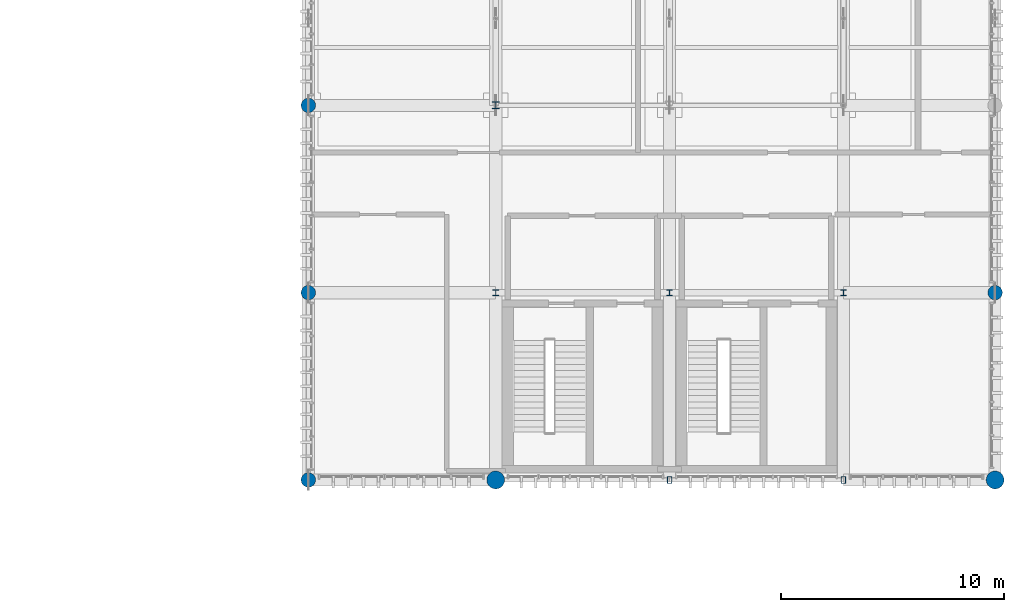
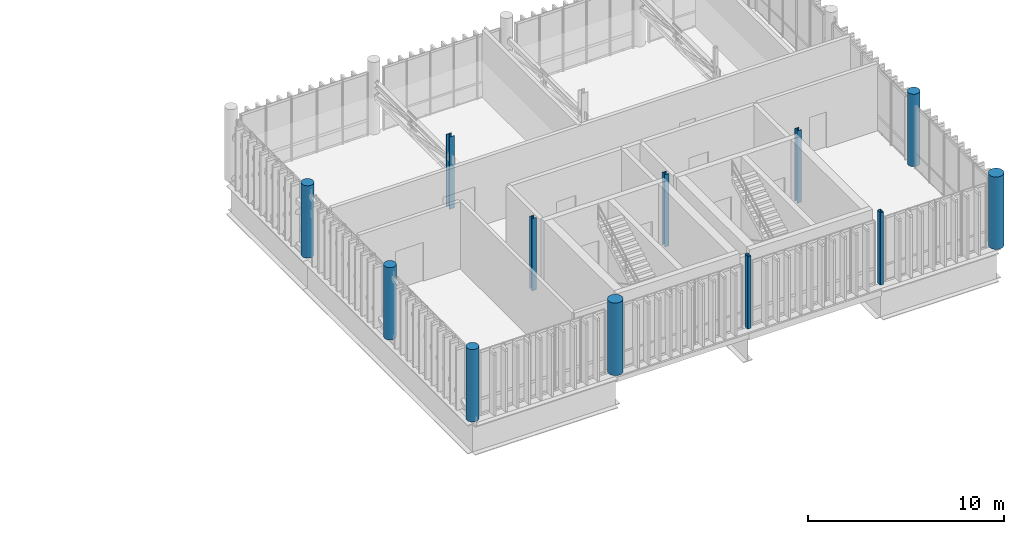
# One storey, part 3 of 53: 12 columns.
"""IFC4 building model written with IfcOpenShell, lengths in metres."""

from ifc_helpers import new_model, si_unit, direction, frame, origin_with_axes, origin_2d_with_axis, place, context, subcontext, project, spatial, hollow_rectangle, circle, i_section, extrude, material, material_profile, profile_set, type_object, element, save


model = new_model("IFC4")

# Units and contexts
model_context = context("Model", 3, precision=1e-05, world=origin_with_axes(), true_north=direction((0.0, 1.0)))
body_context = subcontext(model_context, "Body", "Model", "MODEL_VIEW")
ifc_project = project(units=[si_unit("LENGTHUNIT", "METRE"), si_unit("AREAUNIT", "SQUARE_METRE"), si_unit("VOLUMEUNIT", "CUBIC_METRE"), si_unit("PLANEANGLEUNIT", "RADIAN"), si_unit("MASSUNIT", "GRAM", prefix="KILO"), si_unit("THERMODYNAMICTEMPERATUREUNIT", "KELVIN")], contexts=[model_context])

# Site, building, storey
site_placement = place(None, origin_with_axes())
site = spatial("IfcSite", under=ifc_project, at=site_placement, CompositionType="ELEMENT")
building_placement = place(site_placement, origin_with_axes())
building = spatial("IfcBuilding", under=site, at=building_placement, Name="Montbau Bow Law Courts", CompositionType="ELEMENT")
storey_placement = place(building_placement, frame((0.0, 0.0, 39.0), z_axis=(0.0, 0.0, 1.0), x_axis=(1.0, 0.0, 0.0)))
storey = spatial("IfcBuildingStorey", under=building, at=storey_placement, Name="L08", CompositionType="ELEMENT", Elevation=39.0)

# Columns
ifc_material_1 = material(Name="Steel CSA G40.21 Grade 350WT (350 MPa)", Category="steel")
ifc_material_profile_1 = material_profile(ifc_material_1, hollow_rectangle(XDim=0.203, YDim=0.305, WallThickness=0.0127, InnerFilletRadius=0.0254, OuterFilletRadius=0.0127, at=origin_2d_with_axis()), Name="HSS305X203X13", Category="Main", Priority=0)
ifc_profile_set_1 = profile_set([ifc_material_profile_1], Name="Steel CSA G40.21 Grade 350WT (350 MPa)")
column_type_1 = type_object("IfcColumnType", Name="C-HSS-03", PredefinedType="COLUMN", material=ifc_profile_set_1)
for number, where, z_axis, x_axis, name in (
    (1, (154.8, 86.4, 39.0), (0.0, 0.0, 1.0), (1.0, 0.0, 0.0), "C-L08-S1070:col2_1070"),
    (2, (162.6, 86.4, 39.0), (0.0, 0.0, 1.0), (1.0, 0.0, 0.0), "C-L08-S1074:col2_1074"),
):
    element("IfcColumn", number, at=place(None, frame(where, z_axis=z_axis, x_axis=x_axis)), inside=storey, type_object=column_type_1, Name=name, PredefinedType="COLUMN", context=body_context, shape_type="SweptSolid", body=[
        extrude(hollow_rectangle(XDim=0.203, YDim=0.305, WallThickness=0.0127, InnerFilletRadius=0.0254, OuterFilletRadius=0.0127, at=origin_2d_with_axis()), origin_with_axes(), (0.0, 0.0, 1.0), 4.5),
    ])
ifc_material_2 = material(Name="Concrete CSA A23.1 f'c 40 MPa", Category="concrete")
ifc_material_profile_2 = material_profile(ifc_material_2, circle(Radius=0.4, at=origin_2d_with_axis()), Name="RC800D", Category="Main", Priority=0)
ifc_profile_set_2 = profile_set([ifc_material_profile_2], Name="Concrete CSA A23.1 f'c 40 MPa")
column_type_2 = type_object("IfcColumnType", Name="C-RC-07", PredefinedType="COLUMN", material=ifc_profile_set_2)
for number, where, z_axis, x_axis, name in (
    (3, (147.0, 86.4, 39.0), (0.0, 0.0, 1.0), (1.0, 0.0, 0.0), "C-L08-S1066:col2_1066"),
    (4, (169.4, 86.4, 39.0), (0.0, 0.0, 1.0), (1.0, 0.0, 0.0), "C-L08-S1078:col2_1078"),
):
    element("IfcColumn", number, at=place(None, frame(where, z_axis=z_axis, x_axis=x_axis)), inside=storey, type_object=column_type_2, Name=name, PredefinedType="COLUMN", context=body_context, shape_type="SweptSolid", body=[
        extrude(circle(Radius=0.4, at=origin_2d_with_axis()), origin_with_axes(), (0.0, 0.0, 1.0), 4.5),
    ])
ifc_material_profile_3 = material_profile(ifc_material_2, circle(Radius=0.325, at=origin_2d_with_axis()), Name="RC650D", Category="Main", Priority=0)
ifc_profile_set_3 = profile_set([ifc_material_profile_3], Name="Concrete CSA A23.1 f'c 40 MPa")
column_type_3 = type_object("IfcColumnType", Name="C-RC-08", PredefinedType="COLUMN", material=ifc_profile_set_3)
for number, where, z_axis, x_axis, name in (
    (5, (138.6, 86.4, 39.0), (0.0, 0.0, 1.0), (1.0, 0.0, 0.0), "C-L08-S1062:col2_1062"),
    (6, (138.6, 94.8, 39.0), (0.0, 0.0, 1.0), (1.0, 0.0, 0.0), "C-L08-S1063:col2_1063"),
    (7, (138.6, 103.2, 39.0), (0.0, 0.0, 1.0), (1.0, 0.0, 0.0), "C-L08-S1064:col2_1064"),
    (8, (169.4, 94.8, 39.0), (0.0, 0.0, 1.0), (1.0, 0.0, 0.0), "C-L08-S1079:col2_1079"),
):
    element("IfcColumn", number, at=place(None, frame(where, z_axis=z_axis, x_axis=x_axis)), inside=storey, type_object=column_type_3, Name=name, PredefinedType="COLUMN", context=body_context, shape_type="SweptSolid", body=[
        extrude(circle(Radius=0.325, at=origin_2d_with_axis()), origin_with_axes(), (0.0, 0.0, 1.0), 4.5),
    ])
ifc_material_3 = material(Name="Steel CSA G40.21 Grade 350W (350 MPa)", Category="steel")
ifc_material_profile_4 = material_profile(ifc_material_3, i_section(OverallWidth=0.305, OverallDepth=0.308, WebThickness=0.0099, FlangeThickness=0.0154, at=origin_2d_with_axis()), Name="W310X97", Category="Main", Priority=0)
ifc_profile_set_4 = profile_set([ifc_material_profile_4], Name="Steel CSA G40.21 Grade 350W (350 MPa)")
column_type_4 = type_object("IfcColumnType", Name="C-STL-07", PredefinedType="COLUMN", material=ifc_profile_set_4)
column_placement = place(None, frame((147.0, 103.2, 39.0), z_axis=(0.0, 0.0, 1.0), x_axis=(1.0, 0.0, 0.0)))
element("IfcColumn", 9, at=column_placement, inside=storey, type_object=column_type_4, Name="C-L08-S1068:col2_1068", PredefinedType="COLUMN", context=body_context, shape_type="SweptSolid", body=[
    extrude(i_section(OverallWidth=0.305, OverallDepth=0.308, WebThickness=0.0099, FlangeThickness=0.0154, at=origin_2d_with_axis()), origin_with_axes(), (0.0, 0.0, 1.0), 4.5),
])
ifc_material_profile_5 = material_profile(ifc_material_3, i_section(OverallWidth=0.256, OverallDepth=0.26, WebThickness=0.0107, FlangeThickness=0.0173, at=origin_2d_with_axis()), Name="W250X89", Category="Main", Priority=0)
ifc_profile_set_5 = profile_set([ifc_material_profile_5], Name="Steel CSA G40.21 Grade 350W (350 MPa)")
column_type_5 = type_object("IfcColumnType", Name="C-STL-08", PredefinedType="COLUMN", material=ifc_profile_set_5)
for number, where, z_axis, x_axis, name in (
    (10, (147.0, 94.8, 39.0), (0.0, 0.0, 1.0), (1.0, 0.0, 0.0), "C-L08-S1067:col2_1067"),
    (11, (154.8, 94.8, 39.0), (0.0, 0.0, 1.0), (1.0, 0.0, 0.0), "C-L08-S1071:col2_1071"),
    (12, (162.6, 94.8, 39.0), (0.0, 0.0, 1.0), (1.0, 0.0, 0.0), "C-L08-S1075:col2_1075"),
):
    element("IfcColumn", number, at=place(None, frame(where, z_axis=z_axis, x_axis=x_axis)), inside=storey, type_object=column_type_5, Name=name, PredefinedType="COLUMN", context=body_context, shape_type="SweptSolid", body=[
        extrude(i_section(OverallWidth=0.256, OverallDepth=0.26, WebThickness=0.0107, FlangeThickness=0.0173, at=origin_2d_with_axis()), origin_with_axes(), (0.0, 0.0, 1.0), 4.5),
    ])

save(model, "model.ifc")
